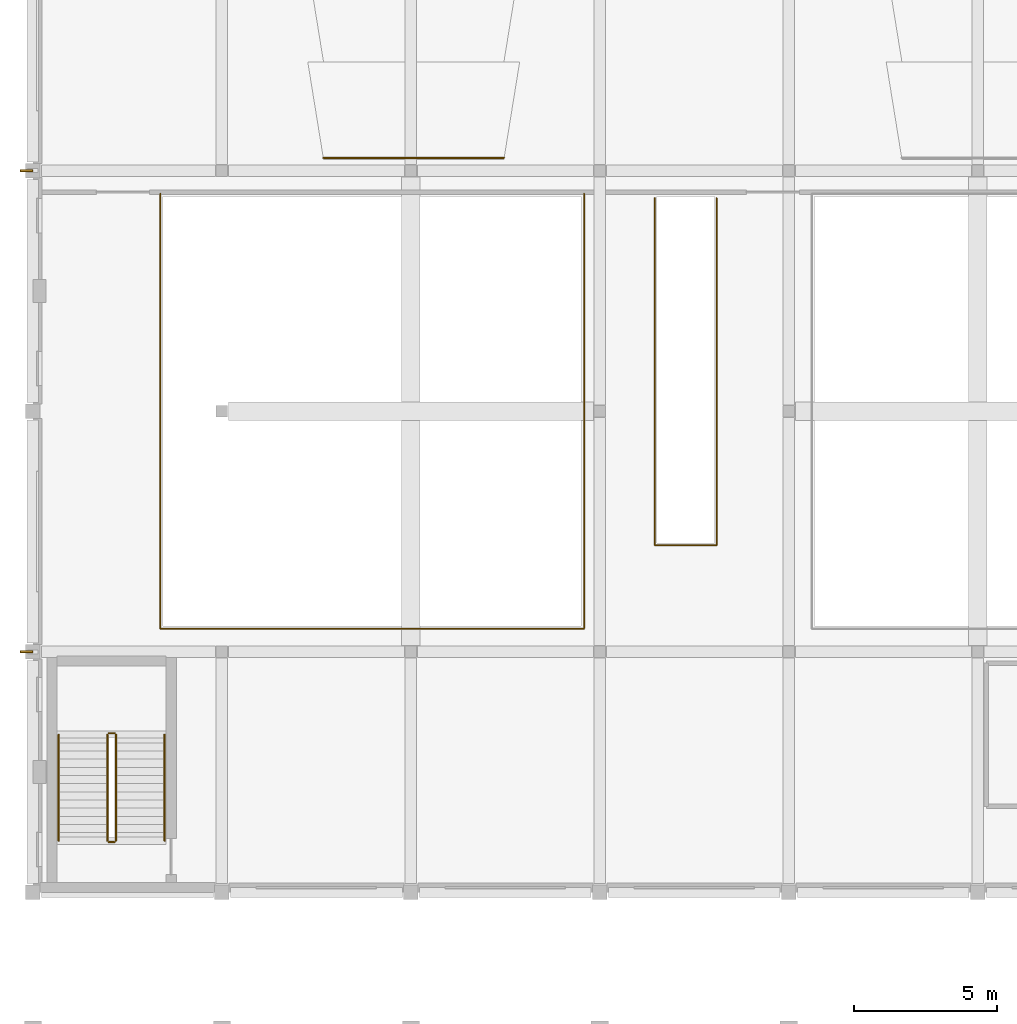
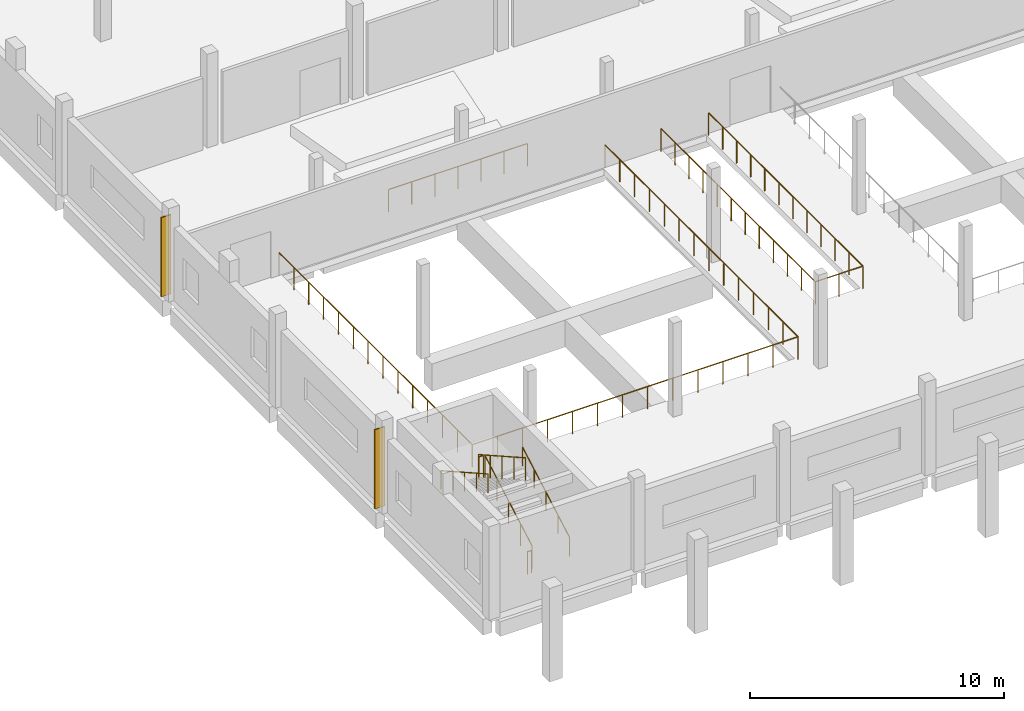
# One storey, part 70 of 83: 9 railings, 2 shading devices.
"""IFC4 building model written with IfcOpenShell, lengths in metres."""

from ifc_helpers import new_model, si_unit, direction, frame, origin, origin_2d, place, context, subcontext, project, spatial, rectangle, circle, extrude, material, layer, layer_set, type_object, element, save


model = new_model("IFC4")

# Units and contexts
model_context = context("Model", 3, precision=1e-05, world=origin(), true_north=direction((0.0, 1.0)))
body_context = subcontext(model_context, "Body", "Model", "MODEL_VIEW")
ifc_project = project(units=[si_unit("LENGTHUNIT", "METRE"), si_unit("AREAUNIT", "SQUARE_METRE"), si_unit("VOLUMEUNIT", "CUBIC_METRE"), si_unit("PLANEANGLEUNIT", "RADIAN"), si_unit("MASSUNIT", "GRAM", prefix="KILO")], contexts=[model_context])

# Site, building, storey
site_placement = place(None, origin())
site = spatial("IfcSite", under=ifc_project, at=site_placement, CompositionType="ELEMENT")
building_placement = place(site_placement, origin())
building = spatial("IfcBuilding", under=site, at=building_placement, Name="Qaldarim Faculty of Natural and Applied Sciences", CompositionType="ELEMENT")
storey_placement = place(building_placement, frame((0.0, 0.0, 5.39990234375)))
storey = spatial("IfcBuildingStorey", under=building, at=storey_placement, Name="L01", CompositionType="ELEMENT", Elevation=5.39990234375)

# Railings
ifc_material_1 = material(Name="Architectural stainless steel 316", Category="steel")
railing_type_1 = type_object("IfcRailingType", Name="GuardBalustrade-1100", PredefinedType="BALUSTRADE", material=ifc_material_1)
railing_1_placement = place(storey_placement, frame((4.449951171875, 41.199951171875, 0.0)))
element("IfcRailing", 1, at=railing_1_placement, inside=storey, type_object=railing_type_1, Name="Safety guard balustrade GRD-LEC-L01-1", PredefinedType="BALUSTRADE", context=body_context, shape_type="SweptSolid", body=[
    extrude(circle(Radius=0.02392578125, at=origin_2d()), frame((0.0, -0.00390625, 1.076171875), z_axis=(0.0, -1.0, 0.0), x_axis=(1.0, 0.0, 0.0)), (0.0, 0.0, 1.0), 15.19189453125),
    extrude(circle(Radius=0.02392578125, at=origin_2d()), frame((0.00390625, -15.199951171875, 1.076171875), z_axis=(1.0, 0.0, 0.0), x_axis=(0.0, 1.0, 0.0)), (0.0, 0.0, 1.0), 14.7919921875),
    extrude(circle(Radius=0.02392578125, at=origin_2d()), frame((14.800048828125, -15.196044921875, 1.076171875), z_axis=(0.0, 1.0, 0.0), x_axis=(-1.0, 0.0, 0.0)), (0.0, 0.0, 1.0), 15.19189453125),
    extrude(circle(Radius=0.02099609375, at=origin_2d()), origin(), (0.0, 0.0, 1.0), 1.052001953125),
    extrude(circle(Radius=0.02099609375, at=origin_2d()), frame((0.0, -1.169189453125, 0.0)), (0.0, 0.0, 1.0), 1.052001953125),
    extrude(circle(Radius=0.02099609375, at=origin_2d()), frame((0.0, -2.33837890625, 0.0)), (0.0, 0.0, 1.0), 1.052001953125),
    extrude(circle(Radius=0.02099609375, at=origin_2d()), frame((0.0, -3.507568359375, 0.0)), (0.0, 0.0, 1.0), 1.052001953125),
    extrude(circle(Radius=0.02099609375, at=origin_2d()), frame((0.0, -4.677001953125, 0.0)), (0.0, 0.0, 1.0), 1.052001953125),
    extrude(circle(Radius=0.02099609375, at=origin_2d()), frame((0.0, -5.84619140625, 0.0)), (0.0, 0.0, 1.0), 1.052001953125),
    extrude(circle(Radius=0.02099609375, at=origin_2d()), frame((0.0, -7.015380859375, 0.0)), (0.0, 0.0, 1.0), 1.052001953125),
    extrude(circle(Radius=0.02099609375, at=origin_2d()), frame((0.0, -8.1845703125, 0.0)), (0.0, 0.0, 1.0), 1.052001953125),
    extrude(circle(Radius=0.02099609375, at=origin_2d()), frame((0.0, -9.353759765625, 0.0)), (0.0, 0.0, 1.0), 1.052001953125),
    extrude(circle(Radius=0.02099609375, at=origin_2d()), frame((0.0, -10.52294921875, 0.0)), (0.0, 0.0, 1.0), 1.052001953125),
    extrude(circle(Radius=0.02099609375, at=origin_2d()), frame((0.0, -11.6923828125, 0.0)), (0.0, 0.0, 1.0), 1.052001953125),
    extrude(circle(Radius=0.02099609375, at=origin_2d()), frame((0.0, -12.861572265625, 0.0)), (0.0, 0.0, 1.0), 1.052001953125),
    extrude(circle(Radius=0.02099609375, at=origin_2d()), frame((0.0, -14.03076171875, 0.0)), (0.0, 0.0, 1.0), 1.052001953125),
    extrude(circle(Radius=0.02099609375, at=origin_2d()), frame((0.0, -15.199951171875, 0.0)), (0.0, 0.0, 1.0), 1.052001953125),
    extrude(circle(Radius=0.02099609375, at=origin_2d()), frame((1.138427734375, -15.199951171875, 0.0)), (0.0, 0.0, 1.0), 1.052001953125),
    extrude(circle(Radius=0.02099609375, at=origin_2d()), frame((2.27685546875, -15.199951171875, 0.0)), (0.0, 0.0, 1.0), 1.052001953125),
    extrude(circle(Radius=0.02099609375, at=origin_2d()), frame((3.415283203125, -15.199951171875, 0.0)), (0.0, 0.0, 1.0), 1.052001953125),
    extrude(circle(Radius=0.02099609375, at=origin_2d()), frame((4.553955078125, -15.199951171875, 0.0)), (0.0, 0.0, 1.0), 1.052001953125),
    extrude(circle(Radius=0.02099609375, at=origin_2d()), frame((5.6923828125, -15.199951171875, 0.0)), (0.0, 0.0, 1.0), 1.052001953125),
    extrude(circle(Radius=0.02099609375, at=origin_2d()), frame((6.830810546875, -15.199951171875, 0.0)), (0.0, 0.0, 1.0), 1.052001953125),
    extrude(circle(Radius=0.02099609375, at=origin_2d()), frame((7.96923828125, -15.199951171875, 0.0)), (0.0, 0.0, 1.0), 1.052001953125),
    extrude(circle(Radius=0.02099609375, at=origin_2d()), frame((9.107666015625, -15.199951171875, 0.0)), (0.0, 0.0, 1.0), 1.052001953125),
    extrude(circle(Radius=0.02099609375, at=origin_2d()), frame((10.24609375, -15.199951171875, 0.0)), (0.0, 0.0, 1.0), 1.052001953125),
    extrude(circle(Radius=0.02099609375, at=origin_2d()), frame((11.384765625, -15.199951171875, 0.0)), (0.0, 0.0, 1.0), 1.052001953125),
    extrude(circle(Radius=0.02099609375, at=origin_2d()), frame((12.523193359375, -15.199951171875, 0.0)), (0.0, 0.0, 1.0), 1.052001953125),
    extrude(circle(Radius=0.02099609375, at=origin_2d()), frame((13.66162109375, -15.199951171875, 0.0)), (0.0, 0.0, 1.0), 1.052001953125),
    extrude(circle(Radius=0.02099609375, at=origin_2d()), frame((14.800048828125, -15.199951171875, 0.0)), (0.0, 0.0, 1.0), 1.052001953125),
    extrude(circle(Radius=0.02099609375, at=origin_2d()), frame((14.800048828125, -14.03076171875, 0.0)), (0.0, 0.0, 1.0), 1.052001953125),
    extrude(circle(Radius=0.02099609375, at=origin_2d()), frame((14.800048828125, -12.861572265625, 0.0)), (0.0, 0.0, 1.0), 1.052001953125),
    extrude(circle(Radius=0.02099609375, at=origin_2d()), frame((14.800048828125, -11.6923828125, 0.0)), (0.0, 0.0, 1.0), 1.052001953125),
    extrude(circle(Radius=0.02099609375, at=origin_2d()), frame((14.800048828125, -10.52294921875, 0.0)), (0.0, 0.0, 1.0), 1.052001953125),
    extrude(circle(Radius=0.02099609375, at=origin_2d()), frame((14.800048828125, -9.353759765625, 0.0)), (0.0, 0.0, 1.0), 1.052001953125),
    extrude(circle(Radius=0.02099609375, at=origin_2d()), frame((14.800048828125, -8.1845703125, 0.0)), (0.0, 0.0, 1.0), 1.052001953125),
    extrude(circle(Radius=0.02099609375, at=origin_2d()), frame((14.800048828125, -7.015380859375, 0.0)), (0.0, 0.0, 1.0), 1.052001953125),
    extrude(circle(Radius=0.02099609375, at=origin_2d()), frame((14.800048828125, -5.84619140625, 0.0)), (0.0, 0.0, 1.0), 1.052001953125),
    extrude(circle(Radius=0.02099609375, at=origin_2d()), frame((14.800048828125, -4.677001953125, 0.0)), (0.0, 0.0, 1.0), 1.052001953125),
    extrude(circle(Radius=0.02099609375, at=origin_2d()), frame((14.800048828125, -3.507568359375, 0.0)), (0.0, 0.0, 1.0), 1.052001953125),
    extrude(circle(Radius=0.02099609375, at=origin_2d()), frame((14.800048828125, -2.33837890625, 0.0)), (0.0, 0.0, 1.0), 1.052001953125),
    extrude(circle(Radius=0.02099609375, at=origin_2d()), frame((14.800048828125, -1.169189453125, 0.0)), (0.0, 0.0, 1.0), 1.052001953125),
    extrude(circle(Radius=0.02099609375, at=origin_2d()), frame((14.800048828125, 0.0, 0.0)), (0.0, 0.0, 1.0), 1.052001953125),
])
railing_2_placement = place(storey_placement, frame((21.719970703125, 41.050048828125, 0.0)))
element("IfcRailing", 2, at=railing_2_placement, inside=storey, type_object=railing_type_1, Name="Safety guard balustrade GRD-VOM-L01-1", PredefinedType="BALUSTRADE", context=body_context, shape_type="SweptSolid", body=[
    extrude(circle(Radius=0.02392578125, at=origin_2d()), frame((0.0, -0.00390625, 1.076171875), z_axis=(0.0, -1.0, 0.0), x_axis=(1.0, 0.0, 0.0)), (0.0, 0.0, 1.0), 12.1220703125),
    extrude(circle(Radius=0.02392578125, at=origin_2d()), frame((0.00390625, -12.130126953125, 1.076171875), z_axis=(1.0, 0.0, 0.0), x_axis=(0.0, 1.0, 0.0)), (0.0, 0.0, 1.0), 2.15185546875),
    extrude(circle(Radius=0.02392578125, at=origin_2d()), frame((2.159912109375, -12.126220703125, 1.076171875), z_axis=(0.0, 1.0, 0.0), x_axis=(-1.0, 0.0, 0.0)), (0.0, 0.0, 1.0), 12.1220703125),
    extrude(circle(Radius=0.02099609375, at=origin_2d()), origin(), (0.0, 0.0, 1.0), 1.052001953125),
    extrude(circle(Radius=0.02099609375, at=origin_2d()), frame((0.0, -1.102783203125, 0.0)), (0.0, 0.0, 1.0), 1.052001953125),
    extrude(circle(Radius=0.02099609375, at=origin_2d()), frame((0.0, -2.20556640625, 0.0)), (0.0, 0.0, 1.0), 1.052001953125),
    extrude(circle(Radius=0.02099609375, at=origin_2d()), frame((0.0, -3.30810546875, 0.0)), (0.0, 0.0, 1.0), 1.052001953125),
    extrude(circle(Radius=0.02099609375, at=origin_2d()), frame((0.0, -4.410888671875, 0.0)), (0.0, 0.0, 1.0), 1.052001953125),
    extrude(circle(Radius=0.02099609375, at=origin_2d()), frame((0.0, -5.513671875, 0.0)), (0.0, 0.0, 1.0), 1.052001953125),
    extrude(circle(Radius=0.02099609375, at=origin_2d()), frame((0.0, -6.616455078125, 0.0)), (0.0, 0.0, 1.0), 1.052001953125),
    extrude(circle(Radius=0.02099609375, at=origin_2d()), frame((0.0, -7.71923828125, 0.0)), (0.0, 0.0, 1.0), 1.052001953125),
    extrude(circle(Radius=0.02099609375, at=origin_2d()), frame((0.0, -8.822021484375, 0.0)), (0.0, 0.0, 1.0), 1.052001953125),
    extrude(circle(Radius=0.02099609375, at=origin_2d()), frame((0.0, -9.924560546875, 0.0)), (0.0, 0.0, 1.0), 1.052001953125),
    extrude(circle(Radius=0.02099609375, at=origin_2d()), frame((0.0, -11.02734375, 0.0)), (0.0, 0.0, 1.0), 1.052001953125),
    extrude(circle(Radius=0.02099609375, at=origin_2d()), frame((0.0, -12.130126953125, 0.0)), (0.0, 0.0, 1.0), 1.052001953125),
    extrude(circle(Radius=0.02099609375, at=origin_2d()), frame((1.080078125, -12.130126953125, 0.0)), (0.0, 0.0, 1.0), 1.052001953125),
    extrude(circle(Radius=0.02099609375, at=origin_2d()), frame((2.159912109375, -12.130126953125, 0.0)), (0.0, 0.0, 1.0), 1.052001953125),
    extrude(circle(Radius=0.02099609375, at=origin_2d()), frame((2.159912109375, -11.02734375, 0.0)), (0.0, 0.0, 1.0), 1.052001953125),
    extrude(circle(Radius=0.02099609375, at=origin_2d()), frame((2.159912109375, -9.924560546875, 0.0)), (0.0, 0.0, 1.0), 1.052001953125),
    extrude(circle(Radius=0.02099609375, at=origin_2d()), frame((2.159912109375, -8.822021484375, 0.0)), (0.0, 0.0, 1.0), 1.052001953125),
    extrude(circle(Radius=0.02099609375, at=origin_2d()), frame((2.159912109375, -7.71923828125, 0.0)), (0.0, 0.0, 1.0), 1.052001953125),
    extrude(circle(Radius=0.02099609375, at=origin_2d()), frame((2.159912109375, -6.616455078125, 0.0)), (0.0, 0.0, 1.0), 1.052001953125),
    extrude(circle(Radius=0.02099609375, at=origin_2d()), frame((2.159912109375, -5.513671875, 0.0)), (0.0, 0.0, 1.0), 1.052001953125),
    extrude(circle(Radius=0.02099609375, at=origin_2d()), frame((2.159912109375, -4.410888671875, 0.0)), (0.0, 0.0, 1.0), 1.052001953125),
    extrude(circle(Radius=0.02099609375, at=origin_2d()), frame((2.159912109375, -3.30810546875, 0.0)), (0.0, 0.0, 1.0), 1.052001953125),
    extrude(circle(Radius=0.02099609375, at=origin_2d()), frame((2.159912109375, -2.20556640625, 0.0)), (0.0, 0.0, 1.0), 1.052001953125),
    extrude(circle(Radius=0.02099609375, at=origin_2d()), frame((2.159912109375, -1.102783203125, 0.0)), (0.0, 0.0, 1.0), 1.052001953125),
    extrude(circle(Radius=0.02099609375, at=origin_2d()), frame((2.159912109375, 0.0, 0.0)), (0.0, 0.0, 1.0), 1.052001953125),
])
railing_3_placement = place(storey_placement, frame((10.14990234375, 42.449951171875, 0.280029296875)))
element("IfcRailing", 3, at=railing_3_placement, inside=storey, type_object=railing_type_1, Name="Safety guard balustrade GRD-TIER-L01-1", PredefinedType="BALUSTRADE", context=body_context, shape_type="SweptSolid", body=[
    extrude(circle(Radius=0.02392578125, at=origin_2d()), frame((0.0, 0.0, 1.076171875), z_axis=(1.0, 0.0, 0.0), x_axis=(0.0, 1.0, 0.0)), (0.0, 0.0, 1.0), 6.300048828125),
    extrude(circle(Radius=0.02099609375, at=origin_2d()), origin(), (0.0, 0.0, 1.0), 1.052001953125),
    extrude(circle(Radius=0.02099609375, at=origin_2d()), frame((1.050048828125, 0.0, 0.0)), (0.0, 0.0, 1.0), 1.052001953125),
    extrude(circle(Radius=0.02099609375, at=origin_2d()), frame((2.10009765625, 0.0, 0.0)), (0.0, 0.0, 1.0), 1.052001953125),
    extrude(circle(Radius=0.02099609375, at=origin_2d()), frame((3.14990234375, 0.0, 0.0)), (0.0, 0.0, 1.0), 1.052001953125),
    extrude(circle(Radius=0.02099609375, at=origin_2d()), frame((4.199951171875, 0.0, 0.0)), (0.0, 0.0, 1.0), 1.052001953125),
    extrude(circle(Radius=0.02099609375, at=origin_2d()), frame((5.25, 0.0, 0.0)), (0.0, 0.0, 1.0), 1.052001953125),
    extrude(circle(Radius=0.02099609375, at=origin_2d()), frame((6.300048828125, 0.0, 0.0)), (0.0, 0.0, 1.0), 1.052001953125),
])
railing_4_placement = place(storey_placement, frame((2.89990234375, 18.60009765625, 0.16015625)))
element("IfcRailing", 4, at=railing_4_placement, inside=storey, type_object=railing_type_1, Name="ST-D1 L01 stair well guard 1", PredefinedType="BALUSTRADE", context=body_context, shape_type="SweptSolid", body=[
    extrude(circle(Radius=0.02392578125, at=origin_2d()), frame((0.0, 0.0, 1.076171875), z_axis=(0.0, 0.87098476549, 0.491310022576), x_axis=(-1.0, 0.0, 0.0)), (0.0, 0.0, 1.0), 4.253662109375),
    extrude(circle(Radius=0.02099609375, at=origin_2d()), origin(), (0.0, 0.0, 1.0), 1.052001953125),
    extrude(circle(Radius=0.02099609375, at=origin_2d()), frame((0.0, 0.92626953125, 0.5224609375)), (0.0, 0.0, 1.0), 1.052001953125),
    extrude(circle(Radius=0.02099609375, at=origin_2d()), frame((0.0, 1.8525390625, 1.044921875)), (0.0, 0.0, 1.0), 1.052001953125),
    extrude(circle(Radius=0.02099609375, at=origin_2d()), frame((0.0, 2.778564453125, 1.5673828125)), (0.0, 0.0, 1.0), 1.052001953125),
    extrude(circle(Radius=0.02099609375, at=origin_2d()), frame((0.0, 3.704833984375, 2.08984375)), (0.0, 0.0, 1.0), 1.052001953125),
])
railing_5_placement = place(storey_placement, frame((2.85009765625, 22.35498046875, 2.25)))
element("IfcRailing", 5, at=railing_5_placement, inside=storey, type_object=railing_type_1, Name="ST-D1 L01 stair well guard 2", PredefinedType="BALUSTRADE", context=body_context, shape_type="SweptSolid", body=[
    extrude(circle(Radius=0.02392578125, at=origin_2d()), frame((0.0, 0.0, 1.076171875), z_axis=(-1.0, 0.0, 0.0), x_axis=(0.0, -1.0, 0.0)), (0.0, 0.0, 1.0), 0.2001953125),
    extrude(circle(Radius=0.02099609375, at=origin_2d()), origin(), (0.0, 0.0, 1.0), 1.052001953125),
    extrude(circle(Radius=0.02099609375, at=origin_2d()), frame((-0.2001953125, 0.0, 0.0)), (0.0, 0.0, 1.0), 1.052001953125),
])
railing_6_placement = place(storey_placement, frame((2.60009765625, 22.304931640625, 2.41015625)))
element("IfcRailing", 6, at=railing_6_placement, inside=storey, type_object=railing_type_1, Name="ST-D1 L01 stair well guard 3", PredefinedType="BALUSTRADE", context=body_context, shape_type="SweptSolid", body=[
    extrude(circle(Radius=0.02392578125, at=origin_2d()), frame((0.0, 0.0, 1.076171875), z_axis=(0.0, -0.87098476549, 0.491310022576), x_axis=(1.0, 0.0, 0.0)), (0.0, 0.0, 1.0), 4.253662109375),
    extrude(circle(Radius=0.02099609375, at=origin_2d()), origin(), (0.0, 0.0, 1.0), 1.052001953125),
    extrude(circle(Radius=0.02099609375, at=origin_2d()), frame((0.0, -0.92626953125, 0.5224609375)), (0.0, 0.0, 1.0), 1.052001953125),
    extrude(circle(Radius=0.02099609375, at=origin_2d()), frame((0.0, -1.8525390625, 1.044921875)), (0.0, 0.0, 1.0), 1.052001953125),
    extrude(circle(Radius=0.02099609375, at=origin_2d()), frame((0.0, -2.778564453125, 1.5673828125)), (0.0, 0.0, 1.0), 1.052001953125),
    extrude(circle(Radius=0.02099609375, at=origin_2d()), frame((0.0, -3.704833984375, 2.08984375)), (0.0, 0.0, 1.0), 1.052001953125),
])
railing_7_placement = place(storey_placement, frame((2.85009765625, 18.550048828125, 0.0)))
element("IfcRailing", 7, at=railing_7_placement, inside=storey, type_object=railing_type_1, Name="ST-D1 L01 stair well guard 4", PredefinedType="BALUSTRADE", context=body_context, shape_type="SweptSolid", body=[
    extrude(circle(Radius=0.02392578125, at=origin_2d()), frame((0.0, 0.0, 1.076171875), z_axis=(-1.0, 0.0, 0.0), x_axis=(0.0, -1.0, 0.0)), (0.0, 0.0, 1.0), 0.2001953125),
    extrude(circle(Radius=0.02099609375, at=origin_2d()), origin(), (0.0, 0.0, 1.0), 1.052001953125),
    extrude(circle(Radius=0.02099609375, at=origin_2d()), frame((-0.2001953125, 0.0, 0.0)), (0.0, 0.0, 1.0), 1.052001953125),
])
railing_type_2 = type_object("IfcRailingType", Name="StairHandrail-920", PredefinedType="HANDRAIL", material=ifc_material_1)
railing_8_placement = place(storey_placement, frame((4.60009765625, 18.60009765625, 0.16015625)))
element("IfcRailing", 8, at=railing_8_placement, inside=storey, type_object=railing_type_2, Name="ST-D1 L01 stair handrail 1", PredefinedType="HANDRAIL", context=body_context, shape_type="SweptSolid", body=[
    extrude(circle(Radius=0.02392578125, at=origin_2d()), frame((0.0, 0.0, 0.89599609375), z_axis=(0.0, 0.87098476549, 0.491310022576), x_axis=(-1.0, 0.0, 0.0)), (0.0, 0.0, 1.0), 4.253662109375),
    extrude(circle(Radius=0.02099609375, at=origin_2d()), origin(), (0.0, 0.0, 1.0), 0.871826171875),
    extrude(circle(Radius=0.02099609375, at=origin_2d()), frame((0.0, 0.92626953125, 0.5224609375)), (0.0, 0.0, 1.0), 0.871826171875),
    extrude(circle(Radius=0.02099609375, at=origin_2d()), frame((0.0, 1.8525390625, 1.044921875)), (0.0, 0.0, 1.0), 0.871826171875),
    extrude(circle(Radius=0.02099609375, at=origin_2d()), frame((0.0, 2.778564453125, 1.5673828125)), (0.0, 0.0, 1.0), 0.871826171875),
    extrude(circle(Radius=0.02099609375, at=origin_2d()), frame((0.0, 3.704833984375, 2.08984375)), (0.0, 0.0, 1.0), 0.871826171875),
])
railing_9_placement = place(storey_placement, frame((0.89990234375, 22.304931640625, 2.41015625)))
element("IfcRailing", 9, at=railing_9_placement, inside=storey, type_object=railing_type_2, Name="ST-D1 L01 stair handrail 2", PredefinedType="HANDRAIL", context=body_context, shape_type="SweptSolid", body=[
    extrude(circle(Radius=0.02392578125, at=origin_2d()), frame((0.0, 0.0, 0.89599609375), z_axis=(0.0, -0.87098476549, 0.491310022576), x_axis=(1.0, 0.0, 0.0)), (0.0, 0.0, 1.0), 4.253662109375),
    extrude(circle(Radius=0.02099609375, at=origin_2d()), origin(), (0.0, 0.0, 1.0), 0.871826171875),
    extrude(circle(Radius=0.02099609375, at=origin_2d()), frame((0.0, -0.92626953125, 0.5224609375)), (0.0, 0.0, 1.0), 0.871826171875),
    extrude(circle(Radius=0.02099609375, at=origin_2d()), frame((0.0, -1.8525390625, 1.044921875)), (0.0, 0.0, 1.0), 0.871826171875),
    extrude(circle(Radius=0.02099609375, at=origin_2d()), frame((0.0, -2.778564453125, 1.5673828125)), (0.0, 0.0, 1.0), 0.871826171875),
    extrude(circle(Radius=0.02099609375, at=origin_2d()), frame((0.0, -3.704833984375, 2.08984375)), (0.0, 0.0, 1.0), 0.871826171875),
])

# Shading devices
ifc_material_2 = material(Name="Champagne anodised aluminium AW-6063", Category="aluminium")
ifc_layer = layer(ifc_material_2, 0.06005859375)
ifc_layer_set = layer_set([ifc_layer], Name="Champagne anodised aluminium AW-6063")
shading_device_type = type_object("IfcShadingDeviceType", Name="VerticalSunFin-ALU450x60", PredefinedType="SHUTTER", material=ifc_layer_set)
for number, where, z_axis, x_axis, name in (
    (10, (-0.22509765625, 25.199951171875, 0.2001953125), (0.0, 0.0, 1.0), (1.0, 0.0, 0.0), "Vertical solar fin FIN-L01-X01Y04"),
    (11, (-0.22509765625, 42.0, 0.2001953125), (0.0, 0.0, 1.0), (1.0, 0.0, 0.0), "Vertical solar fin FIN-L01-X01Y06"),
):
    element("IfcShadingDevice", number, at=place(storey_placement, frame(where, z_axis=z_axis, x_axis=x_axis)), inside=storey, type_object=shading_device_type, Name=name, PredefinedType="SHUTTER", context=body_context, shape_type="SweptSolid", body=[
        extrude(rectangle(XDim=0.449951171875, YDim=0.06005859375, at=origin_2d()), origin(), (0.0, 0.0, 1.0), 3.800048828125),
    ])

save(model, "model.ifc")
